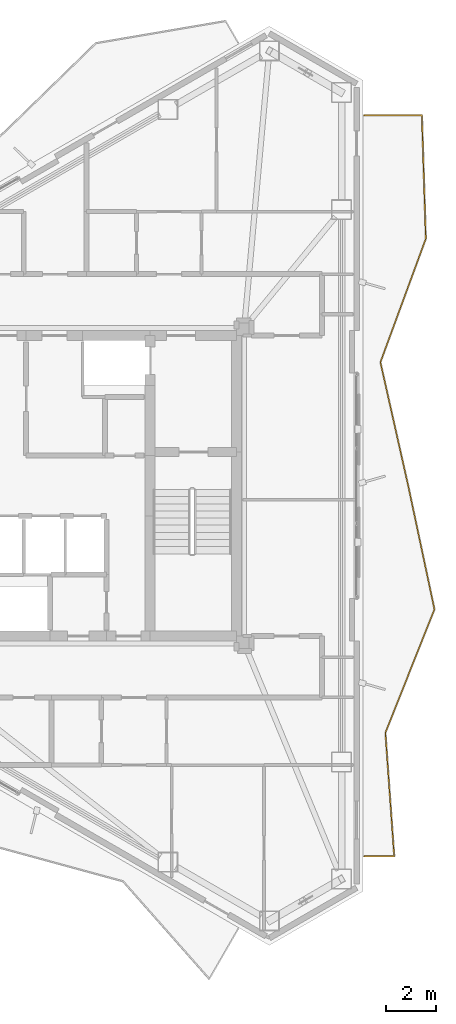
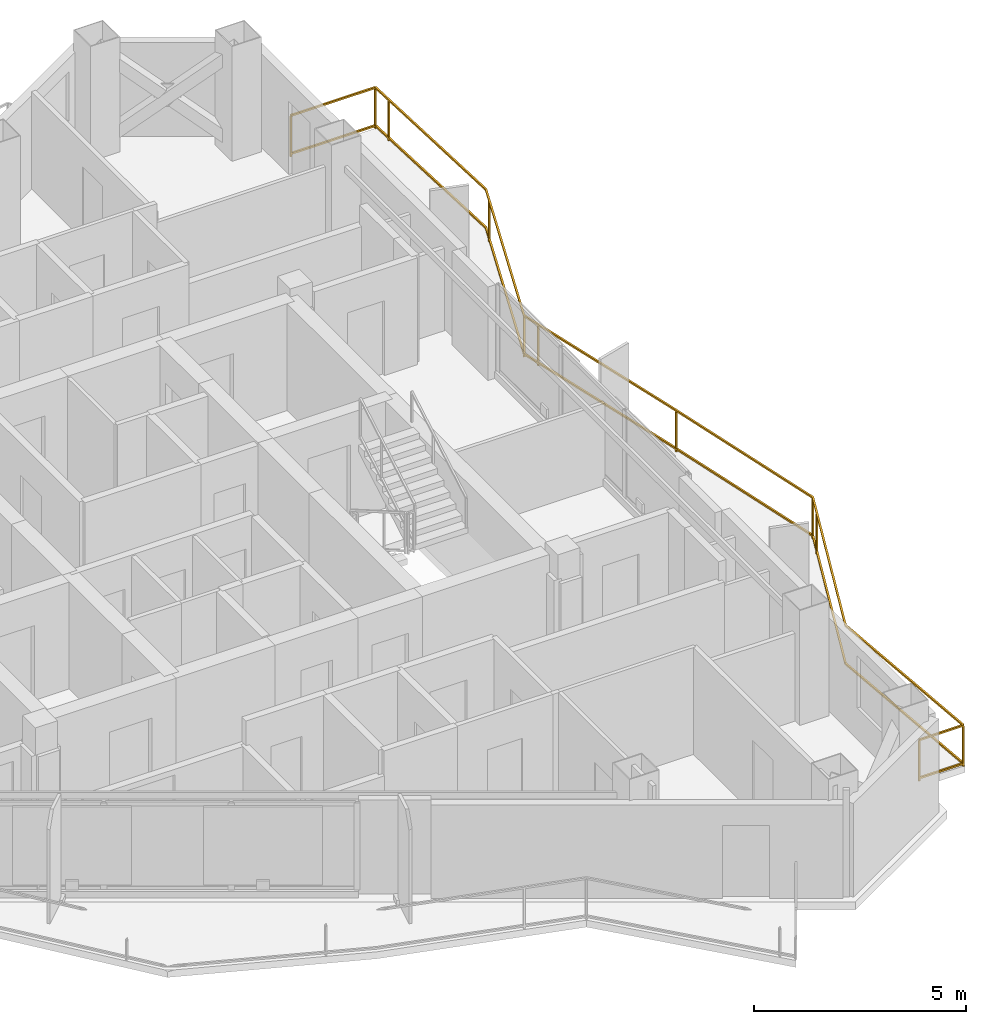
# One storey, part 22 of 22: 1 railing.
"""IFC4 building model written with IfcOpenShell, lengths in metres."""

from ifc_helpers import new_model, si_unit, direction, frame, origin, origin_2d, place, context, subcontext, project, spatial, rectangle, extrude, material, type_object, element, save


model = new_model("IFC4")

# Units and contexts
model_context = context("Model", 3, precision=1e-05, world=origin(), true_north=direction((0.0, 1.0)))
body_context = subcontext(model_context, "Body", "Model", "MODEL_VIEW")
ifc_project = project(units=[si_unit("LENGTHUNIT", "METRE"), si_unit("AREAUNIT", "SQUARE_METRE"), si_unit("VOLUMEUNIT", "CUBIC_METRE"), si_unit("PLANEANGLEUNIT", "RADIAN"), si_unit("MASSUNIT", "GRAM", prefix="KILO")], contexts=[model_context])

# Site, building, storey
site_placement = place(None, origin())
site = spatial("IfcSite", under=ifc_project, at=site_placement, CompositionType="ELEMENT")
building_placement = place(site_placement, origin())
building = spatial("IfcBuilding", under=site, at=building_placement, Name="Mersakhor Tower and Convention Hall", CompositionType="ELEMENT")
storey_placement = place(building_placement, frame((0.0, 0.0, 195.300048828125)))
storey = spatial("IfcBuildingStorey", under=building, at=storey_placement, Name="L54", CompositionType="ELEMENT", Elevation=195.300048828125)

# Railing
ifc_material = material(Name="Powder-coated galvanised steel and laminated glass balustrade", Category="steel")
railing_type = type_object("IfcRailingType", Name="RL-BAL-1200", PredefinedType="BALUSTRADE", material=ifc_material)
railing_placement = place(storey_placement, frame((40.888427734375, 11.957275390625, 0.0)))
element("IfcRailing", 1, at=railing_placement, inside=storey, type_object=railing_type, Name="L54 Sinusoidal Balcony Balustrade F2", PredefinedType="BALUSTRADE", context=body_context, shape_type="SweptSolid", body=[
    extrude(rectangle(XDim=0.048095703125, YDim=0.048095703125, at=origin_2d()), frame((0.0, 0.0, 1.17578125), z_axis=(1.0, 0.0, 0.0), x_axis=(0.0, 1.0, 0.0)), (0.0, 0.0, 1.0), 1.201416015625),
    extrude(rectangle(XDim=0.048095703125, YDim=0.048095703125, at=origin_2d()), frame((0.0, 0.0, 0.080078125), z_axis=(1.0, 0.0, 0.0), x_axis=(0.0, 1.0, 0.0)), (0.0, 0.0, 1.0), 1.201416015625),
    extrude(rectangle(XDim=0.048095703125, YDim=0.048095703125, at=origin_2d()), frame((1.201416015625, 0.0, 1.17578125), z_axis=(-0.071412002914, 0.99744690377, 0.0), x_axis=(-0.99744690377, -0.071412002914, 0.0)), (0.0, 0.0, 1.0), 4.943603515625),
    extrude(rectangle(XDim=0.048095703125, YDim=0.048095703125, at=origin_2d()), frame((1.201416015625, 0.0, 0.080078125), z_axis=(-0.071412002914, 0.99744690377, 0.0), x_axis=(-0.99744690377, -0.071412002914, 0.0)), (0.0, 0.0, 1.0), 4.943603515625),
    extrude(rectangle(XDim=0.048095703125, YDim=0.048095703125, at=origin_2d()), frame((0.848388671875, 4.930908203125, 1.17578125), z_axis=(0.369215896266, 0.929343651156, 0.0), x_axis=(-0.929343651156, 0.369215896266, 0.0)), (0.0, 0.0, 1.0), 5.305908203125),
    extrude(rectangle(XDim=0.048095703125, YDim=0.048095703125, at=origin_2d()), frame((0.848388671875, 4.930908203125, 0.080078125), z_axis=(0.369215896266, 0.929343651156, 0.0), x_axis=(-0.929343651156, 0.369215896266, 0.0)), (0.0, 0.0, 1.0), 5.305908203125),
    extrude(rectangle(XDim=0.048095703125, YDim=0.048095703125, at=origin_2d()), frame((2.807373046875, 9.86181640625, 1.17578125), z_axis=(-0.207818788405, 0.97816734314, 0.0), x_axis=(-0.97816734314, -0.207818788405, 0.0)), (0.0, 0.0, 1.0), 5.041015625),
    extrude(rectangle(XDim=0.048095703125, YDim=0.048095703125, at=origin_2d()), frame((2.807373046875, 9.86181640625, 0.080078125), z_axis=(-0.207818788405, 0.97816734314, 0.0), x_axis=(-0.97816734314, -0.207818788405, 0.0)), (0.0, 0.0, 1.0), 5.041015625),
    extrude(rectangle(XDim=0.048095703125, YDim=0.048095703125, at=origin_2d()), frame((1.759765625, 14.792724609375, 1.17578125), z_axis=(-0.219589204706, 0.975592425748, 0.0), x_axis=(-0.975592425748, -0.219589204706, 0.0)), (0.0, 0.0, 1.0), 5.05419921875),
    extrude(rectangle(XDim=0.048095703125, YDim=0.048095703125, at=origin_2d()), frame((1.759765625, 14.792724609375, 0.080078125), z_axis=(-0.219589204706, 0.975592425748, 0.0), x_axis=(-0.975592425748, -0.219589204706, 0.0)), (0.0, 0.0, 1.0), 5.05419921875),
    extrude(rectangle(XDim=0.048095703125, YDim=0.048095703125, at=origin_2d()), frame((0.64990234375, 19.7236328125, 1.17578125), z_axis=(0.345009654261, 0.938599136195, 0.0), x_axis=(-0.938599136195, 0.345009654261, 0.0)), (0.0, 0.0, 1.0), 5.25341796875),
    extrude(rectangle(XDim=0.048095703125, YDim=0.048095703125, at=origin_2d()), frame((0.64990234375, 19.7236328125, 0.080078125), z_axis=(0.345009654261, 0.938599136195, 0.0), x_axis=(-0.938599136195, 0.345009654261, 0.0)), (0.0, 0.0, 1.0), 5.25341796875),
    extrude(rectangle(XDim=0.048095703125, YDim=0.048095703125, at=origin_2d()), frame((2.46240234375, 24.654541015625, 1.17578125), z_axis=(-0.031919163372, 0.999490453686, 0.0), x_axis=(-0.999490453686, -0.031919163372, 0.0)), (0.0, 0.0, 1.0), 4.933349609375),
    extrude(rectangle(XDim=0.048095703125, YDim=0.048095703125, at=origin_2d()), frame((2.46240234375, 24.654541015625, 0.080078125), z_axis=(-0.031919163372, 0.999490453686, 0.0), x_axis=(-0.999490453686, -0.031919163372, 0.0)), (0.0, 0.0, 1.0), 4.933349609375),
    extrude(rectangle(XDim=0.048095703125, YDim=0.048095703125, at=origin_2d()), frame((2.304931640625, 29.58544921875, 1.17578125), z_axis=(-1.0, 0.0, 0.0), x_axis=(0.0, -1.0, 0.0)), (0.0, 0.0, 1.0), 2.304931640625),
    extrude(rectangle(XDim=0.048095703125, YDim=0.048095703125, at=origin_2d()), frame((2.304931640625, 29.58544921875, 0.080078125), z_axis=(-1.0, 0.0, 0.0), x_axis=(0.0, -1.0, 0.0)), (0.0, 0.0, 1.0), 2.304931640625),
    extrude(rectangle(XDim=0.0419921875, YDim=0.0419921875, at=origin_2d()), origin(), (0.0, 0.0, 1.0), 1.15185546875),
    extrude(rectangle(XDim=0.0419921875, YDim=0.0419921875, at=origin_2d()), frame((1.201416015625, 0.0, 0.0)), (0.0, 0.0, 1.0), 1.15185546875),
    extrude(rectangle(XDim=0.0419921875, YDim=0.0419921875, at=origin_2d()), frame((2.567626953125, 9.25830078125, 0.0)), (0.0, 0.0, 1.0), 1.15185546875),
    extrude(rectangle(XDim=0.0419921875, YDim=0.0419921875, at=origin_2d()), frame((2.807373046875, 9.86181640625, 0.0)), (0.0, 0.0, 1.0), 1.15185546875),
    extrude(rectangle(XDim=0.0419921875, YDim=0.0419921875, at=origin_2d()), frame((1.809814453125, 14.55712890625, 0.0)), (0.0, 0.0, 1.0), 1.15185546875),
    extrude(rectangle(XDim=0.0419921875, YDim=0.0419921875, at=origin_2d()), frame((0.758544921875, 19.240478515625, 0.0)), (0.0, 0.0, 1.0), 1.15185546875),
    extrude(rectangle(XDim=0.0419921875, YDim=0.0419921875, at=origin_2d()), frame((0.64990234375, 19.7236328125, 0.0)), (0.0, 0.0, 1.0), 1.15185546875),
    extrude(rectangle(XDim=0.0419921875, YDim=0.0419921875, at=origin_2d()), frame((2.305908203125, 24.22900390625, 0.0)), (0.0, 0.0, 1.0), 1.15185546875),
    extrude(rectangle(XDim=0.0419921875, YDim=0.0419921875, at=origin_2d()), frame((2.32373046875, 28.998779296875, 0.0)), (0.0, 0.0, 1.0), 1.15185546875),
    extrude(rectangle(XDim=0.0419921875, YDim=0.0419921875, at=origin_2d()), frame((2.304931640625, 29.58544921875, 0.0)), (0.0, 0.0, 1.0), 1.15185546875),
    extrude(rectangle(XDim=0.0419921875, YDim=0.0419921875, at=origin_2d()), frame((0.0, 29.58544921875, 0.0)), (0.0, 0.0, 1.0), 1.15185546875),
])

save(model, "model.ifc")
